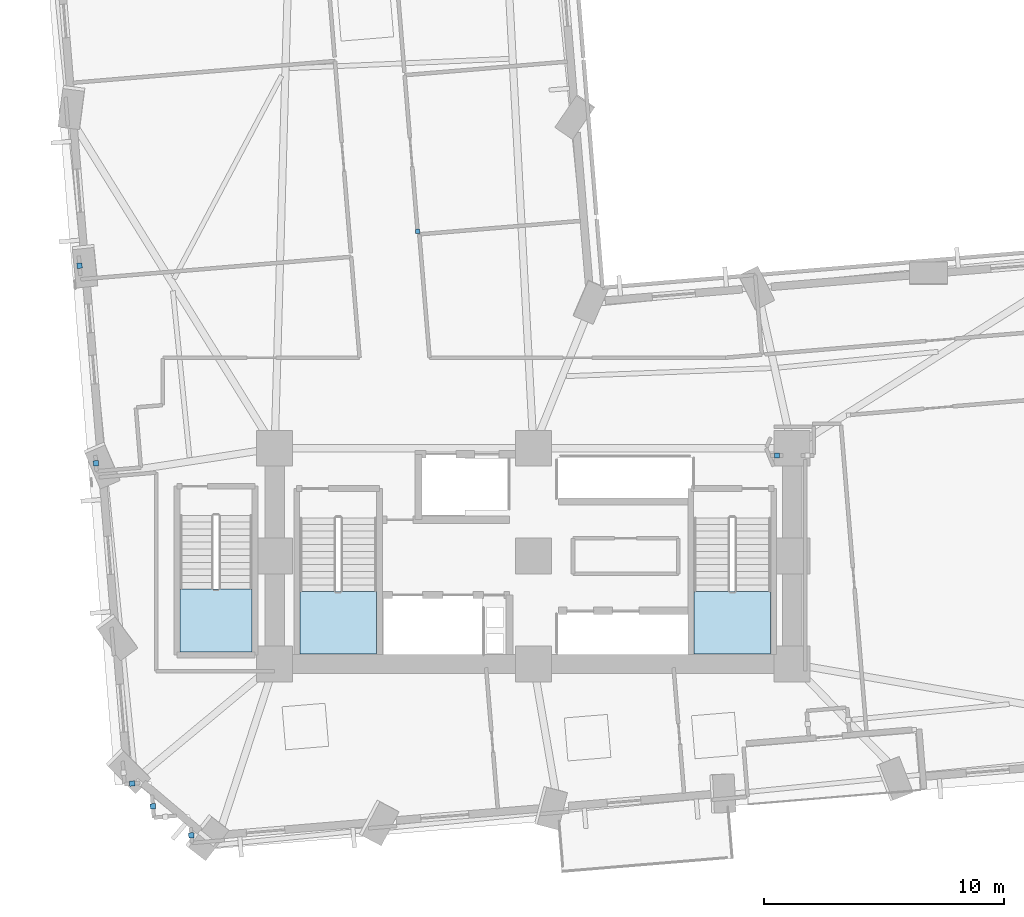
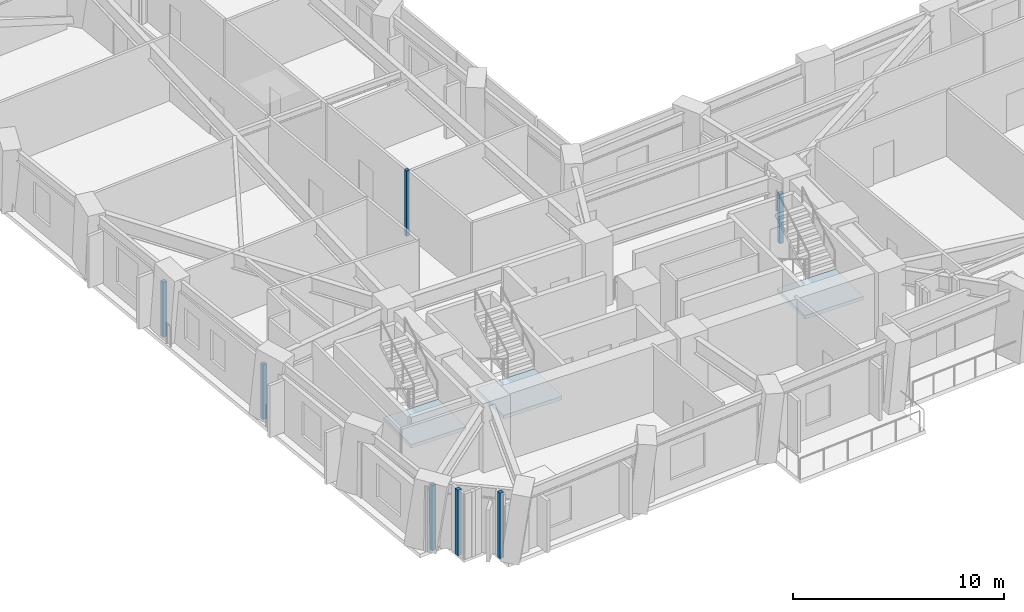
# One storey, part 3 of 14: 7 plates, 3 slabs, 3 elements without a shape of their own.
"""IFC4 building model written with IfcOpenShell, lengths in metres."""

from ifc_helpers import new_model, si_unit, direction, frame, origin, origin_2d, place, context, subcontext, project, spatial, polyline, rectangle, outline, extrude, material, layer, layer_set, type_object, element, aggregate, save


model = new_model("IFC4")

# Units and contexts
model_context = context("Model", 3, precision=1e-05, world=origin(), true_north=direction((0.0, 1.0)))
body_context = subcontext(model_context, "Body", "Model", "MODEL_VIEW")
ifc_project = project(units=[si_unit("LENGTHUNIT", "METRE"), si_unit("AREAUNIT", "SQUARE_METRE"), si_unit("VOLUMEUNIT", "CUBIC_METRE"), si_unit("PLANEANGLEUNIT", "RADIAN"), si_unit("MASSUNIT", "GRAM", prefix="KILO")], contexts=[model_context])

# Site, building, storey
site_placement = place(None, origin())
site = spatial("IfcSite", under=ifc_project, at=site_placement, CompositionType="ELEMENT")
building_placement = place(site_placement, origin())
building = spatial("IfcBuilding", under=site, at=building_placement, Name="Gaonmaruhae Medical Tower", CompositionType="ELEMENT")
storey_placement = place(building_placement, frame((0.0, 0.0, 43.0)))
storey = spatial("IfcBuildingStorey", under=building, at=storey_placement, Name="L09", CompositionType="ELEMENT", Elevation=43.0)

# Plates
ifc_material_1 = material(Name="Anodised aluminium 6063-T6", Category="aluminium")
ifc_layer_1 = layer(ifc_material_1, 0.011962890625)
ifc_layer_set_1 = layer_set([ifc_layer_1], Name="Anodised aluminium 6063-T6")
plate_type = type_object("IfcPlateType", Name="PP-01 Interior Partition Corner Stiffener Plate", PredefinedType="SHEET", material=ifc_layer_set_1)
plate_1_placement = place(storey_placement, frame((19.965576171875, 25.854248046875, 0.0), z_axis=(0.0, 0.0, 1.0), x_axis=(-0.082808207512, 0.996565502498, 0.0)))
element("IfcPlate", 1, at=plate_1_placement, inside=storey, type_object=plate_type, Name="L09 Partition End Jamb Post Plate PLT-L09-ENDP-PW083-0", PredefinedType="SHEET", context=body_context, shape_type="SweptSolid", body=[
    extrude(rectangle(XDim=0.179931640625, YDim=0.179931640625, at=origin_2d()), origin(), (0.0, 0.0, 1.0), 3.780029296875),
])
for number, where, z_axis, x_axis, name in (
    (2, (10.5205078125, 0.6455078125, 0.0), (0.0, 0.0, 1.0), (-0.082912567153, 0.996556825378, 0.0), "L09 Partition Corner Stiffener Plate PLT-L09-JGP-PW009"),
    (3, (8.91552734375, 1.8564453125, 0.0), (0.0, 0.0, 1.0), (-0.082442941624, 0.996595786353, 0.0), "L09 Partition Corner Stiffener Plate PLT-L09-JGP-PW011"),
    (4, (8.052490234375, 2.80859375, 0.0), (0.0, 0.0, 1.0), (-0.996556825378, -0.082912567153, 0.0), "L09 Partition Corner Stiffener Plate PLT-L09-JGP-PW012"),
):
    element("IfcPlate", number, at=place(storey_placement, frame(where, z_axis=z_axis, x_axis=x_axis)), inside=storey, type_object=plate_type, Name=name, PredefinedType="SHEET", context=body_context, shape_type="SweptSolid", body=[
        extrude(rectangle(XDim=0.219970703125, YDim=0.219970703125, at=origin_2d()), origin(), (0.0, 0.0, 1.0), 3.780029296875),
    ])
plate_2_placement = place(storey_placement, frame((34.96240234375, 16.5, 0.0), z_axis=(0.0, 0.0, 1.0), x_axis=(1.0, 0.0, 0.0)))
element("IfcPlate", 5, at=plate_2_placement, inside=storey, type_object=plate_type, Name="L09 Partition Corner Stiffener Plate PLT-L09-JGP-PW023", PredefinedType="SHEET", context=body_context, shape_type="SweptSolid", body=[
    extrude(rectangle(XDim=0.219970703125, YDim=0.219970703125, at=origin_2d()), origin(), (0.0, 0.0, 1.0), 2.864990234375),
])
for number, where, z_axis, x_axis, name in (
    (6, (6.54150390625, 16.174072265625, 0.0), (0.0, 0.0, 1.0), (-0.082303789799, 0.996607287844, 0.0), "L09 Partition Corner Stiffener Plate PLT-L09-JGP-PW048"),
    (7, (5.85595703125, 24.42138671875, 0.0), (0.0, 0.0, 1.0), (-0.082947353498, 0.996553930577, 0.0), "L09 Partition Corner Stiffener Plate PLT-L09-JGP-PW054"),
):
    element("IfcPlate", number, at=place(storey_placement, frame(where, z_axis=z_axis, x_axis=x_axis)), inside=storey, type_object=plate_type, Name=name, PredefinedType="SHEET", context=body_context, shape_type="SweptSolid", body=[
        extrude(rectangle(XDim=0.219970703125, YDim=0.219970703125, at=origin_2d()), origin(), (0.0, 0.0, 1.0), 3.1650390625),
    ])

# Stair, slab
ifc_material_2 = material(Name="Concrete C40/50", Category="concrete")
stair_type_1 = type_object("IfcStairType", Name="ST-T1 Primary Core Escape Dogleg Stair", PredefinedType="TWO_QUARTER_TURN_STAIR", material=ifc_material_2)
stair_1_placement = place(storey_placement, origin())
stair_1 = element("IfcStair", 8, at=stair_1_placement, inside=storey, type_object=stair_type_1, Name="L09 Protected Escape Stair ST-01", PredefinedType="TWO_QUARTER_TURN_STAIR")
ifc_layer_2 = layer(ifc_material_2, 0.199951171875)
ifc_layer_set_2 = layer_set([ifc_layer_2], Name="Concrete C40/50")
slab_type = type_object("IfcSlabType", Name="SL-200 Stair & Ramp Intermediate Concrete Landing", PredefinedType="LANDING", material=ifc_layer_set_2)
slab_1_placement = place(storey_placement, frame((0.0, 0.0, 1.800048828125)))
slab_1 = element("IfcSlab", 9, at=slab_1_placement, type_object=slab_type, Name="ST-01 landing 1", PredefinedType="LANDING", context=body_context, shape_type="SweptSolid", body=[
    extrude(outline(polyline([(15.050048828125, 10.820068359375), (15.050048828125, 8.2041015625), (18.25, 8.2041015625), (18.25, 10.820068359375), (15.050048828125, 10.820068359375)])), origin(), (0.0, 0.0, 1.0), 0.199951171875),
])
aggregate(stair_1, [slab_1])

stair_2_placement = place(storey_placement, origin())
stair_2 = element("IfcStair", 10, at=stair_2_placement, inside=storey, type_object=stair_type_1, Name="L09 Protected Escape Stair ST-02", PredefinedType="TWO_QUARTER_TURN_STAIR")
slab_2_placement = place(storey_placement, frame((0.0, 0.0, 1.800048828125)))
slab_2 = element("IfcSlab", 11, at=slab_2_placement, type_object=slab_type, Name="ST-02 landing 1", PredefinedType="LANDING", context=body_context, shape_type="SweptSolid", body=[
    extrude(outline(polyline([(31.5, 10.820068359375), (31.5, 8.2041015625), (34.699951171875, 8.2041015625), (34.699951171875, 10.820068359375), (31.5, 10.820068359375)])), origin(), (0.0, 0.0, 1.0), 0.199951171875),
])
aggregate(stair_2, [slab_2])

stair_type_2 = type_object("IfcStairType", Name="ST-T2 Zone 1 Escape Dogleg Stair", PredefinedType="TWO_QUARTER_TURN_STAIR", material=ifc_material_2)
stair_3_placement = place(storey_placement, origin())
stair_3 = element("IfcStair", 12, at=stair_3_placement, inside=storey, type_object=stair_type_2, Name="L09 Protected Escape Stair ST-03", PredefinedType="TWO_QUARTER_TURN_STAIR")
slab_3_placement = place(storey_placement, frame((0.0, 0.0, 1.800048828125)))
slab_3 = element("IfcSlab", 13, at=slab_3_placement, type_object=slab_type, Name="ST-03 landing 1", PredefinedType="LANDING", context=body_context, shape_type="SweptSolid", body=[
    extrude(outline(polyline([(10.050048828125, 10.919921875), (10.050048828125, 8.300048828125), (13.050048828125, 8.300048828125), (13.050048828125, 10.919921875), (10.050048828125, 10.919921875)])), origin(), (0.0, 0.0, 1.0), 0.199951171875),
])
aggregate(stair_3, [slab_3])

save(model, "model.ifc")
